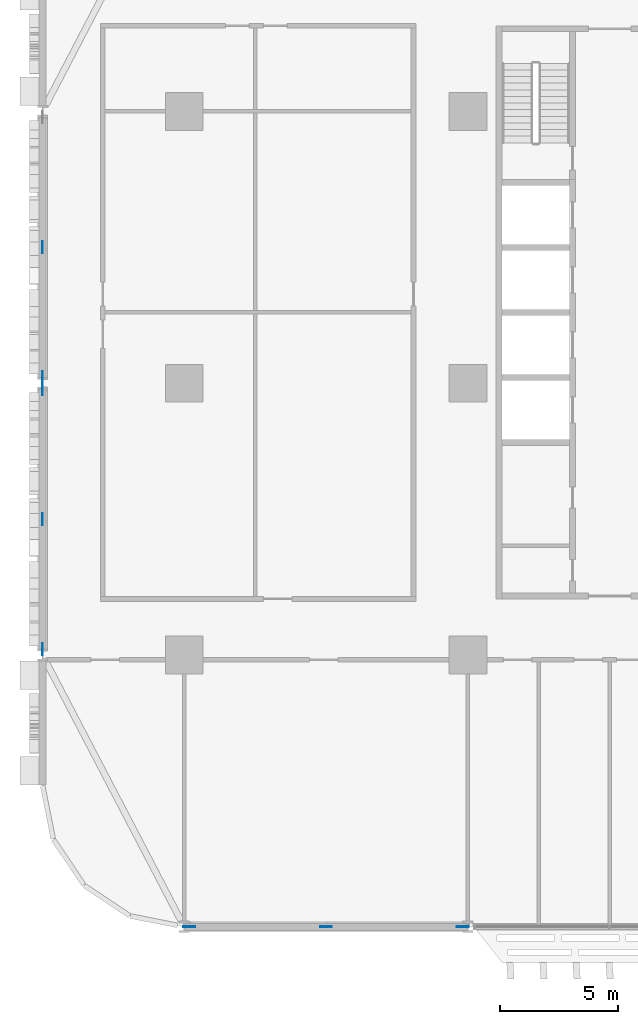
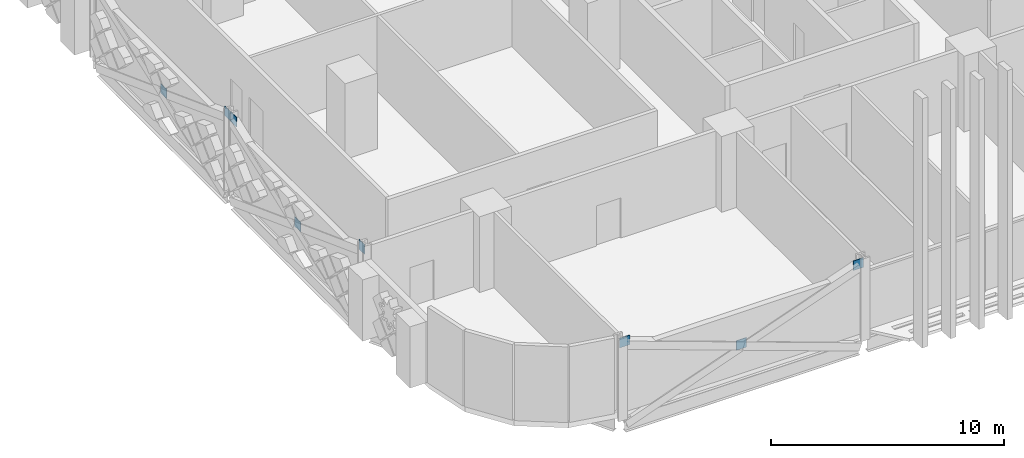
# One storey, part 17 of 29: 8 discrete accessories.
"""IFC4 building model written with IfcOpenShell, lengths in metres."""

from ifc_helpers import new_model, si_unit, direction, frame, origin, origin_2d, place, context, subcontext, project, spatial, rectangle, extrude, material, layer, layer_set, type_object, element, save


model = new_model("IFC4")

# Units and contexts
model_context = context("Model", 3, precision=1e-05, world=origin(), true_north=direction((0.0, 1.0)))
body_context = subcontext(model_context, "Body", "Model", "MODEL_VIEW")
ifc_project = project(units=[si_unit("LENGTHUNIT", "METRE"), si_unit("AREAUNIT", "SQUARE_METRE"), si_unit("VOLUMEUNIT", "CUBIC_METRE"), si_unit("PLANEANGLEUNIT", "RADIAN"), si_unit("MASSUNIT", "GRAM", prefix="KILO")], contexts=[model_context])

# Site, building, storey
site_placement = place(None, origin())
site = spatial("IfcSite", under=ifc_project, at=site_placement, CompositionType="ELEMENT")
building_placement = place(site_placement, origin())
building = spatial("IfcBuilding", under=site, at=building_placement, Name="Mahtab Terrace Research Tower", CompositionType="ELEMENT")
storey_placement = place(building_placement, frame((0.0, 0.0, 24.39990234375)))
storey = spatial("IfcBuildingStorey", under=building, at=storey_placement, Name="L05", CompositionType="ELEMENT", Elevation=24.39990234375)

# Discrete accessories
ifc_material = material(Name="Steel ASTM A992 Gr 50", Category="steel")
ifc_layer = layer(ifc_material, 0.030029296875)
ifc_layer_set = layer_set([ifc_layer], Name="Gusset plate 500x500x30")
discrete_accessory_type = type_object("IfcDiscreteAccessoryType", Name="Gusset plate 500x500x30", PredefinedType="USERDEFINED", material=ifc_layer_set)
for number, where, z_axis, x_axis, name in (
    (1, (-41.7841796875, -23.0, 3.33154296875), (0.0, 0.0, 1.0), (1.0, 0.0, 0.0), "Gusset plate"),
    (2, (-36.0, -23.0, 1.181640625), (0.0, 0.0, 1.0), (1.0, 0.0, 0.0), "Gusset plate"),
    (3, (-30.2158203125, -23.0, 3.33154296875), (0.0, 0.0, 1.0), (1.0, 0.0, 0.0), "Gusset plate"),
    (4, (-48.0, -11.251220703125, 3.33154296875), (0.0, 0.0, 1.0), (0.0, 1.0, 0.0), "Gusset plate"),
    (5, (-48.0, -5.75, 1.181640625), (0.0, 0.0, 1.0), (0.0, 1.0, 0.0), "Gusset plate"),
    (6, (-48.0, -0.248779296875, 3.33154296875), (0.0, 0.0, 1.0), (0.0, 1.0, 0.0), "Gusset plate"),
    (7, (-48.0, 0.248779296875, 3.33154296875), (0.0, 0.0, 1.0), (0.0, 1.0, 0.0), "Gusset plate"),
    (8, (-48.0, 5.75, 1.181640625), (0.0, 0.0, 1.0), (0.0, 1.0, 0.0), "Gusset plate"),
):
    element("IfcDiscreteAccessory", number, at=place(storey_placement, frame(where, z_axis=z_axis, x_axis=x_axis)), inside=storey, type_object=discrete_accessory_type, Name=name, ObjectType="GUSSET PLATE", PredefinedType="USERDEFINED", context=body_context, shape_type="SweptSolid", body=[
        extrude(rectangle(XDim=0.5, YDim=0.030029296875, at=origin_2d()), origin(), (0.0, 0.0, 1.0), 0.5),
    ])

save(model, "model.ifc")
